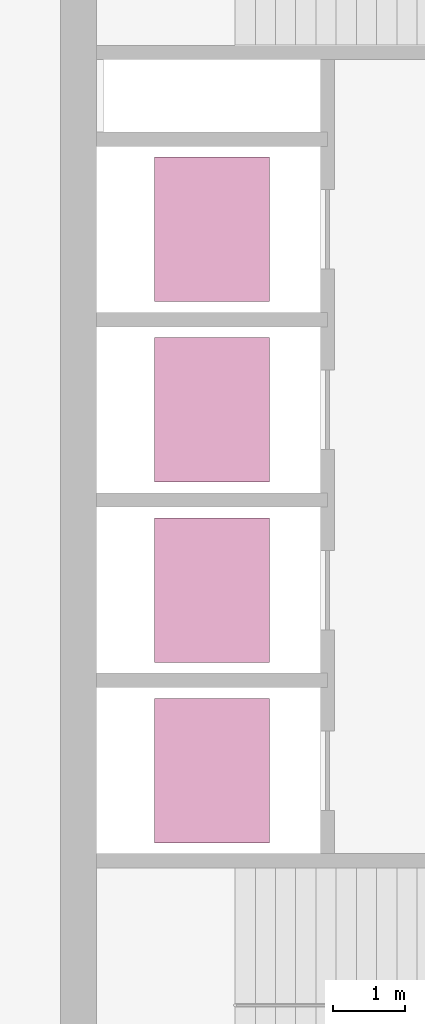
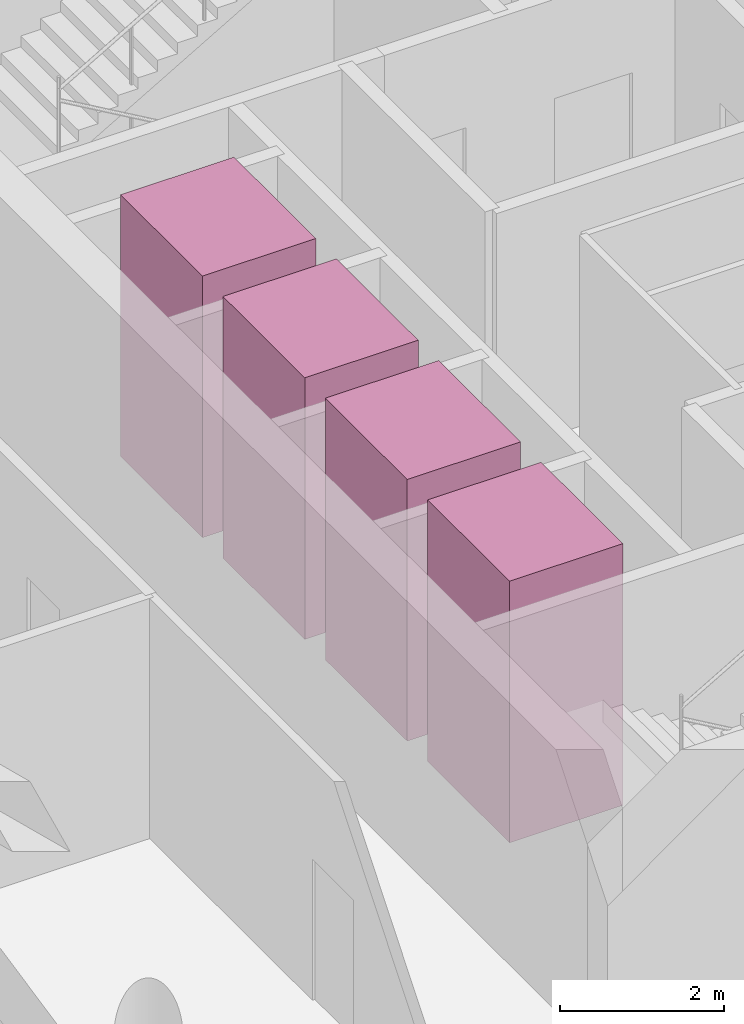
# One storey, part 11 of 11: 4 transport elements.
"""IFC4 building model written with IfcOpenShell, lengths in metres."""

from ifc_helpers import new_model, si_unit, direction, frame, origin, origin_2d, place, context, subcontext, project, spatial, rectangle, extrude, material, type_object, element, save


model = new_model("IFC4")

# Units and contexts
model_context = context("Model", 3, precision=1e-05, world=origin(), true_north=direction((0.0, 1.0)))
body_context = subcontext(model_context, "Body", "Model", "MODEL_VIEW")
ifc_project = project(units=[si_unit("LENGTHUNIT", "METRE"), si_unit("AREAUNIT", "SQUARE_METRE"), si_unit("VOLUMEUNIT", "CUBIC_METRE"), si_unit("PLANEANGLEUNIT", "RADIAN"), si_unit("MASSUNIT", "GRAM", prefix="KILO")], contexts=[model_context])

# Site, building, storey
site_placement = place(None, origin())
site = spatial("IfcSite", under=ifc_project, at=site_placement, CompositionType="ELEMENT")
building_placement = place(site_placement, origin())
building = spatial("IfcBuilding", under=site, at=building_placement, Name="Qaws Garden Tower", CompositionType="ELEMENT")
storey_placement = place(building_placement, frame((0.0, 0.0, 325.5)))
storey = spatial("IfcBuildingStorey", under=building, at=storey_placement, Name="L79", CompositionType="ELEMENT", Elevation=325.5)

# Transport elements
ifc_material = material(Name="Stainless steel 316", Category="steel")
transport_element_type = type_object("IfcTransportElementType", Name="Passenger lift car 2000x1600 1800 kg", PredefinedType="ELEVATOR", material=ifc_material)
for number, where, z_axis, x_axis, name in (
    (1, (10.10009765625, 13.64990234375, 0.0), (0.0, 0.0, 1.0), (1.0, 0.0, 0.0), "HR1"),
    (2, (10.10009765625, 16.14990234375, 0.0), (0.0, 0.0, 1.0), (1.0, 0.0, 0.0), "HR2"),
    (3, (10.10009765625, 18.64990234375, 0.0), (0.0, 0.0, 1.0), (1.0, 0.0, 0.0), "HR3"),
    (4, (10.10009765625, 21.14990234375, 0.0), (0.0, 0.0, 1.0), (1.0, 0.0, 0.0), "HR4"),
):
    element("IfcTransportElement", number, at=place(storey_placement, frame(where, z_axis=z_axis, x_axis=x_axis)), inside=storey, type_object=transport_element_type, Name=name, PredefinedType="ELEVATOR", context=body_context, shape_type="SweptSolid", body=[
        extrude(rectangle(XDim=1.60009765625, YDim=2.0, at=origin_2d()), origin(), (0.0, 0.0, 1.0), 3.89990234375),
    ])

save(model, "model.ifc")
